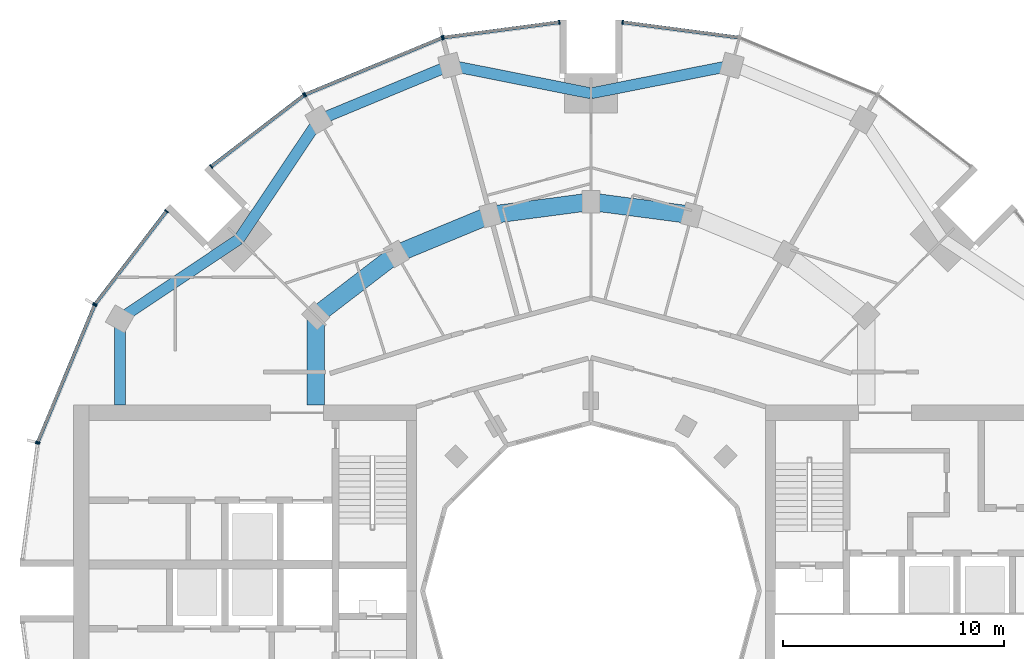
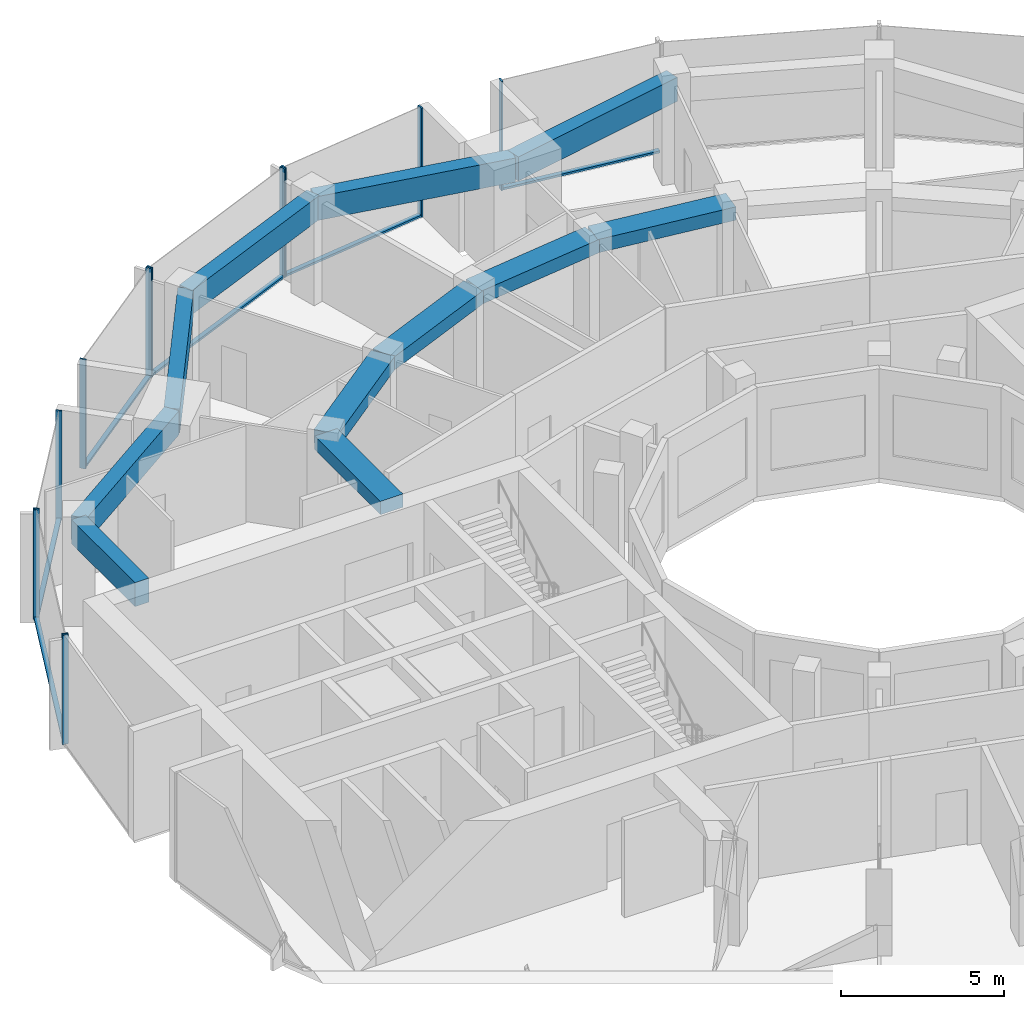
# One storey, part 5 of 15: 18 members, 11 beams, 7 elements without a shape of their own.
"""IFC4 building model written with IfcOpenShell, lengths in metres."""

from ifc_helpers import new_model, si_unit, direction, frame, origin, origin_2d, place, context, subcontext, project, spatial, rectangle, extrude, material, layer, layer_set, material_profile, profile_set, type_object, element, aggregate, save


model = new_model("IFC4")

# Units and contexts
model_context = context("Model", 3, precision=1e-05, world=origin(), true_north=direction((0.0, 1.0)))
body_context = subcontext(model_context, "Body", "Model", "MODEL_VIEW")
ifc_project = project(units=[si_unit("LENGTHUNIT", "METRE"), si_unit("AREAUNIT", "SQUARE_METRE"), si_unit("VOLUMEUNIT", "CUBIC_METRE"), si_unit("PLANEANGLEUNIT", "RADIAN"), si_unit("MASSUNIT", "GRAM", prefix="KILO")], contexts=[model_context])

# Site, building, storey
site_placement = place(None, origin())
site = spatial("IfcSite", under=ifc_project, at=site_placement, CompositionType="ELEMENT")
building_placement = place(site_placement, origin())
building = spatial("IfcBuilding", under=site, at=building_placement, Name="Torre Brocal", CompositionType="ELEMENT")
storey_placement = place(building_placement, frame((0.0, 0.0, 194.60009765625)))
storey = spatial("IfcBuildingStorey", under=building, at=storey_placement, Name="L45", CompositionType="ELEMENT", Elevation=194.60009765625)

# Curtain wall, member
ifc_material_1 = material(Name="Aluminium and glass", Category="aluminium")
ifc_layer_1 = layer(ifc_material_1, 0.199951171875)
ifc_layer_set_1 = layer_set([ifc_layer_1], Name="Aluminium and glass")
curtain_wall_type_1 = type_object("IfcCurtainWallType", Name="CW-1 CURTAIN WALL 4100 HIGH", PredefinedType="NOTDEFINED", material=ifc_layer_set_1)
curtain_wall_1_placement = place(storey_placement, origin())
curtain_wall_1 = element("IfcCurtainWall", 1, at=curtain_wall_1_placement, inside=storey, type_object=curtain_wall_type_1, Name="CW-1 RUN 6", PredefinedType="NOTDEFINED")
ifc_material_2 = material(Name="Aluminium, dark anodised", Category="aluminium")
ifc_material_profile_1 = material_profile(ifc_material_2, rectangle(XDim=0.199951171875, YDim=0.06005859375, at=origin_2d()), Name="CW-1 MULLION 60X200")
ifc_profile_set_1 = profile_set([ifc_material_profile_1], Name="Aluminium, dark anodised")
member_type_1 = type_object("IfcMemberType", Name="CW-1 MULLION 60X200", PredefinedType="MULLION", material=ifc_profile_set_1)
member_1_placement = place(storey_placement, frame((81.4296875, 100.7109375, 0.0), z_axis=(0.0, 0.0, 1.0), x_axis=(-0.13052619222, -0.991444861374, 0.0)))
member_1 = element("IfcMember", 2, at=member_1_placement, type_object=member_type_1, Name="CW1-4 mullion 2", PredefinedType="MULLION", context=body_context, shape_type="SweptSolid", body=[
    extrude(rectangle(XDim=0.199951171875, YDim=0.06005859375, at=origin_2d()), origin(), (0.0, 0.0, 1.0), 4.099853515625),
])

# Curtain wall, members
curtain_wall_2_placement = place(storey_placement, origin())
curtain_wall_2 = element("IfcCurtainWall", 3, at=curtain_wall_2_placement, inside=storey, type_object=curtain_wall_type_1, Name="CW-1 RUN 7", PredefinedType="NOTDEFINED")
member_2_placement = place(storey_placement, frame((78.5703125, 100.7109375, 0.0), z_axis=(0.0, 0.0, 1.0), x_axis=(0.13052619222, -0.991444861374, 0.0)))
member_2 = element("IfcMember", 4, at=member_2_placement, type_object=member_type_1, Name="CW1-4 mullion 1", PredefinedType="MULLION", context=body_context, shape_type="SweptSolid", body=[
    extrude(rectangle(XDim=0.199951171875, YDim=0.06005859375, at=origin_2d()), origin(), (0.0, 0.0, 1.0), 4.099853515625),
])
member_3_placement = place(storey_placement, frame((73.32666015625, 100.0205078125, 0.0), z_axis=(0.0, 0.0, 1.0), x_axis=(0.13052619222, -0.991444861374, 0.0)))
member_3 = element("IfcMember", 5, at=member_3_placement, type_object=member_type_1, Name="CW1-4 mullion 2", PredefinedType="MULLION", context=body_context, shape_type="SweptSolid", body=[
    extrude(rectangle(XDim=0.199951171875, YDim=0.06005859375, at=origin_2d()), origin(), (0.0, 0.0, 1.0), 4.099853515625),
])

curtain_wall_3_placement = place(storey_placement, origin())
curtain_wall_3 = element("IfcCurtainWall", 6, at=curtain_wall_3_placement, inside=storey, type_object=curtain_wall_type_1, Name="CW-1 RUN 8", PredefinedType="NOTDEFINED")
member_4_placement = place(storey_placement, frame((73.26904296875, 100.005126953125, 0.0), z_axis=(0.0, 0.0, 1.0), x_axis=(0.382683432333, -0.923879532525, 0.0)))
member_4 = element("IfcMember", 7, at=member_4_placement, type_object=member_type_1, Name="CW1-4 mullion 1", PredefinedType="MULLION", context=body_context, shape_type="SweptSolid", body=[
    extrude(rectangle(XDim=0.199951171875, YDim=0.06005859375, at=origin_2d()), origin(), (0.0, 0.0, 1.0), 4.099853515625),
])
member_5_placement = place(storey_placement, frame((67.078125, 97.440673828125, 0.0), z_axis=(0.0, 0.0, 1.0), x_axis=(0.382683432333, -0.923879532525, 0.0)))
member_5 = element("IfcMember", 8, at=member_5_placement, type_object=member_type_1, Name="CW1-4 mullion 2", PredefinedType="MULLION", context=body_context, shape_type="SweptSolid", body=[
    extrude(rectangle(XDim=0.199951171875, YDim=0.06005859375, at=origin_2d()), origin(), (0.0, 0.0, 1.0), 4.099853515625),
])

curtain_wall_4_placement = place(storey_placement, origin())
curtain_wall_4 = element("IfcCurtainWall", 9, at=curtain_wall_4_placement, inside=storey, type_object=curtain_wall_type_1, Name="CW-1 RUN 9", PredefinedType="NOTDEFINED")
member_6_placement = place(storey_placement, frame((67.026611328125, 97.4111328125, 0.0), z_axis=(0.0, 0.0, 1.0), x_axis=(0.60876142905, -0.793353340259, 0.0)))
member_6 = element("IfcMember", 10, at=member_6_placement, type_object=member_type_1, Name="CW1-4 mullion 1", PredefinedType="MULLION", context=body_context, shape_type="SweptSolid", body=[
    extrude(rectangle(XDim=0.199951171875, YDim=0.06005859375, at=origin_2d()), origin(), (0.0, 0.0, 1.0), 4.099853515625),
])
member_7_placement = place(storey_placement, frame((62.83056640625, 94.19140625, 0.0), z_axis=(0.0, 0.0, 1.0), x_axis=(0.60876142905, -0.793353340259, 0.0)))
member_7 = element("IfcMember", 11, at=member_7_placement, type_object=member_type_1, Name="CW1-4 mullion 2", PredefinedType="MULLION", context=body_context, shape_type="SweptSolid", body=[
    extrude(rectangle(XDim=0.199951171875, YDim=0.06005859375, at=origin_2d()), origin(), (0.0, 0.0, 1.0), 4.099853515625),
])

curtain_wall_5_placement = place(storey_placement, origin())
curtain_wall_5 = element("IfcCurtainWall", 12, at=curtain_wall_5_placement, inside=storey, type_object=curtain_wall_type_1, Name="CW-1 RUN 10", PredefinedType="NOTDEFINED")
member_8_placement = place(storey_placement, frame((60.80859375, 92.16943359375, 0.0), z_axis=(0.0, 0.0, 1.0), x_axis=(0.793353340259, -0.60876142905, 0.0)))
member_8 = element("IfcMember", 13, at=member_8_placement, type_object=member_type_1, Name="CW1-4 mullion 1", PredefinedType="MULLION", context=body_context, shape_type="SweptSolid", body=[
    extrude(rectangle(XDim=0.199951171875, YDim=0.06005859375, at=origin_2d()), origin(), (0.0, 0.0, 1.0), 4.099853515625),
])
member_9_placement = place(storey_placement, frame((57.5888671875, 87.973388671875, 0.0), z_axis=(0.0, 0.0, 1.0), x_axis=(0.793353340259, -0.60876142905, 0.0)))
member_9 = element("IfcMember", 14, at=member_9_placement, type_object=member_type_1, Name="CW1-4 mullion 2", PredefinedType="MULLION", context=body_context, shape_type="SweptSolid", body=[
    extrude(rectangle(XDim=0.199951171875, YDim=0.06005859375, at=origin_2d()), origin(), (0.0, 0.0, 1.0), 4.099853515625),
])

curtain_wall_6_placement = place(storey_placement, origin())
curtain_wall_6 = element("IfcCurtainWall", 15, at=curtain_wall_6_placement, inside=storey, type_object=curtain_wall_type_1, Name="CW-1 RUN 11", PredefinedType="NOTDEFINED")
member_10_placement = place(storey_placement, frame((57.559326171875, 87.921875, 0.0), z_axis=(0.0, 0.0, 1.0), x_axis=(0.923879532525, -0.382683432333, 0.0)))
member_10 = element("IfcMember", 16, at=member_10_placement, type_object=member_type_1, Name="CW1-4 mullion 1", PredefinedType="MULLION", context=body_context, shape_type="SweptSolid", body=[
    extrude(rectangle(XDim=0.199951171875, YDim=0.06005859375, at=origin_2d()), origin(), (0.0, 0.0, 1.0), 4.099853515625),
])
member_11_placement = place(storey_placement, frame((54.994873046875, 81.73095703125, 0.0), z_axis=(0.0, 0.0, 1.0), x_axis=(0.923879532525, -0.382683432333, 0.0)))
member_11 = element("IfcMember", 17, at=member_11_placement, type_object=member_type_1, Name="CW1-4 mullion 2", PredefinedType="MULLION", context=body_context, shape_type="SweptSolid", body=[
    extrude(rectangle(XDim=0.199951171875, YDim=0.06005859375, at=origin_2d()), origin(), (0.0, 0.0, 1.0), 4.099853515625),
])

# Member
ifc_material_3 = material(Name="Aluminium, dark anodised", Category="aluminium")
ifc_material_profile_2 = material_profile(ifc_material_3, rectangle(XDim=0.159912109375, YDim=0.080078125, at=origin_2d()), Name="CW-1 TRANSOM 160X80")
ifc_profile_set_2 = profile_set([ifc_material_profile_2], Name="Aluminium, dark anodised")
member_type_2 = type_object("IfcMemberType", Name="CW-1 TRANSOM 160X80", PredefinedType="USERDEFINED", material=ifc_profile_set_2)
member_12_placement = place(storey_placement, frame((86.643798828125, 100.0244140625, 0.039794921875), z_axis=(-0.991442690863, 0.130542677827, 0.0), x_axis=(-0.130542677827, -0.991442690863, 0.0)))
member_12 = element("IfcMember", 18, at=member_12_placement, type_object=member_type_2, Name="CW1-4 transom 1.1", ObjectType="TRANSOM", PredefinedType="USERDEFINED", context=body_context, shape_type="SweptSolid", body=[
    extrude(rectangle(XDim=0.159912109375, YDim=0.080078125, at=origin_2d()), origin(), (0.0, 0.0, 1.0), 5.22900390625),
])

aggregate(curtain_wall_1, [member_1, member_12])

member_13_placement = place(storey_placement, frame((78.54052734375, 100.70703125, 0.039794921875), z_axis=(-0.991442690863, -0.130542677827, 0.0), x_axis=(0.130542677827, -0.991442690863, 0.0)))
member_13 = element("IfcMember", 19, at=member_13_placement, type_object=member_type_2, Name="CW1-4 transom 1.1", ObjectType="TRANSOM", PredefinedType="USERDEFINED", context=body_context, shape_type="SweptSolid", body=[
    extrude(rectangle(XDim=0.159912109375, YDim=0.080078125, at=origin_2d()), origin(), (0.0, 0.0, 1.0), 5.22900390625),
])

aggregate(curtain_wall_2, [member_2, member_3, member_13])

member_14_placement = place(storey_placement, frame((73.241455078125, 99.99365234375, 0.039794921875), z_axis=(-0.923887344364, -0.38266457234, 0.0), x_axis=(0.38266457234, -0.923887344364, 0.0)))
member_14 = element("IfcMember", 20, at=member_14_placement, type_object=member_type_2, Name="CW1-4 transom 1.1", ObjectType="TRANSOM", PredefinedType="USERDEFINED", context=body_context, shape_type="SweptSolid", body=[
    extrude(rectangle(XDim=0.159912109375, YDim=0.080078125, at=origin_2d()), origin(), (0.0, 0.0, 1.0), 6.640869140625),
])

aggregate(curtain_wall_3, [member_4, member_5, member_14])

member_15_placement = place(storey_placement, frame((67.0029296875, 97.392822265625, 0.039794921875), z_axis=(-0.79336281513, -0.60874908096, 0.0), x_axis=(0.60874908096, -0.79336281513, 0.0)))
member_15 = element("IfcMember", 21, at=member_15_placement, type_object=member_type_2, Name="CW1-4 transom 1.1", ObjectType="TRANSOM", PredefinedType="USERDEFINED", context=body_context, shape_type="SweptSolid", body=[
    extrude(rectangle(XDim=0.159912109375, YDim=0.080078125, at=origin_2d()), origin(), (0.0, 0.0, 1.0), 5.22900390625),
])

aggregate(curtain_wall_4, [member_6, member_7, member_15])

member_16_placement = place(storey_placement, frame((60.790283203125, 92.1455078125, 0.039794921875), z_axis=(-0.60874908096, -0.79336281513, 0.0), x_axis=(0.79336281513, -0.60874908096, 0.0)))
member_16 = element("IfcMember", 22, at=member_16_placement, type_object=member_type_2, Name="CW1-4 transom 1.1", ObjectType="TRANSOM", PredefinedType="USERDEFINED", context=body_context, shape_type="SweptSolid", body=[
    extrude(rectangle(XDim=0.159912109375, YDim=0.080078125, at=origin_2d()), origin(), (0.0, 0.0, 1.0), 5.22900390625),
])

aggregate(curtain_wall_5, [member_8, member_9, member_16])

member_17_placement = place(storey_placement, frame((57.547607421875, 87.89404296875, 0.039794921875), z_axis=(-0.38266457234, -0.923887344364, 0.0), x_axis=(0.923887344364, -0.38266457234, 0.0)))
member_17 = element("IfcMember", 23, at=member_17_placement, type_object=member_type_2, Name="CW1-4 transom 1.1", ObjectType="TRANSOM", PredefinedType="USERDEFINED", context=body_context, shape_type="SweptSolid", body=[
    extrude(rectangle(XDim=0.159912109375, YDim=0.080078125, at=origin_2d()), origin(), (0.0, 0.0, 1.0), 6.640869140625),
])

aggregate(curtain_wall_6, [member_10, member_11, member_17])

# Curtain wall, member
ifc_material_4 = material(Name="Aluminium and glass", Category="aluminium")
ifc_layer_2 = layer(ifc_material_4, 0.199951171875)
ifc_layer_set_2 = layer_set([ifc_layer_2], Name="Aluminium and glass")
curtain_wall_type_2 = type_object("IfcCurtainWallType", Name="CW-1B CURTAIN WALL 4100 HIGH", PredefinedType="NOTDEFINED", material=ifc_layer_set_2)
curtain_wall_7_placement = place(storey_placement, origin())
curtain_wall_7 = element("IfcCurtainWall", 24, at=curtain_wall_7_placement, inside=storey, type_object=curtain_wall_type_2, Name="CW-1B RUN 12", PredefinedType="NOTDEFINED")
ifc_material_5 = material(Name="Aluminium, dark anodised", Category="aluminium")
ifc_material_profile_3 = material_profile(ifc_material_5, rectangle(XDim=0.199951171875, YDim=0.06005859375, at=origin_2d()), Name="CW-1B MULLION 60X200")
ifc_profile_set_3 = profile_set([ifc_material_profile_3], Name="Aluminium, dark anodised")
member_type_3 = type_object("IfcMemberType", Name="CW-1B MULLION 60X200", PredefinedType="MULLION", material=ifc_profile_set_3)
member_18_placement = place(storey_placement, frame((54.9794921875, 81.67333984375, 0.0), z_axis=(0.0, 0.0, 1.0), x_axis=(0.991444861374, -0.13052619222, 0.0)))
member_18 = element("IfcMember", 25, at=member_18_placement, type_object=member_type_3, Name="CW1B-4 mullion 1", PredefinedType="MULLION", context=body_context, shape_type="SweptSolid", body=[
    extrude(rectangle(XDim=0.199951171875, YDim=0.06005859375, at=origin_2d()), origin(), (0.0, 0.0, 1.0), 4.099853515625),
])
aggregate(curtain_wall_7, [member_18])

# Beams
ifc_material_6 = material(Name="Concrete C50", Category="concrete")
ifc_material_profile_4 = material_profile(ifc_material_6, rectangle(XDim=0.800048828125, YDim=0.5, at=origin_2d()), Name="RC 800X500")
ifc_profile_set_4 = profile_set([ifc_material_profile_4], Name="Concrete C50")
beam_type_1 = type_object("IfcBeamType", Name="RC BEAM 800X500 C50 TOP 3780", PredefinedType="BEAM", material=ifc_profile_set_4)
for number, where, z_axis, x_axis, name in (
    (26, (84.55517578125, 92.000244140625, 3.52978515625), (-0.991440544449, 0.130558978332, 0.0), (-0.130558978332, -0.991440544449, 0.0), "Beam BT-32"),
    (27, (80.0, 92.60009765625, 3.52978515625), (-0.991440544449, -0.130558978332, 0.0), (0.130558978332, -0.991440544449, 0.0), "Beam BT-32"),
):
    element("IfcBeam", number, at=place(storey_placement, frame(where, z_axis=z_axis, x_axis=x_axis)), inside=storey, type_object=beam_type_1, Name=name, PredefinedType="BEAM", context=body_context, shape_type="SweptSolid", body=[
        extrude(rectangle(XDim=0.800048828125, YDim=0.5, at=origin_2d()), origin(), (0.0, 0.0, 1.0), 4.594482421875),
    ])
beam_1_placement = place(storey_placement, frame((75.44482421875, 92.000244140625, 3.52978515625), z_axis=(-0.923878240166, -0.382686552348, 0.0), x_axis=(0.382686552348, -0.923878240166, 0.0)))
element("IfcBeam", 28, at=beam_1_placement, inside=storey, type_object=beam_type_1, Name="Beam BT-32", PredefinedType="BEAM", context=body_context, shape_type="SweptSolid", body=[
    extrude(rectangle(XDim=0.800048828125, YDim=0.5, at=origin_2d()), origin(), (0.0, 0.0, 1.0), 4.5947265625),
])
beam_2_placement = place(storey_placement, frame((71.199951171875, 90.241943359375, 3.52978515625), z_axis=(-0.793358265959, -0.6087550097, 0.0), x_axis=(0.6087550097, -0.793358265959, 0.0)))
element("IfcBeam", 29, at=beam_2_placement, inside=storey, type_object=beam_type_1, Name="Beam BT-32", PredefinedType="BEAM", context=body_context, shape_type="SweptSolid", body=[
    extrude(rectangle(XDim=0.800048828125, YDim=0.5, at=origin_2d()), origin(), (0.0, 0.0, 1.0), 4.594482421875),
])
beam_3_placement = place(storey_placement, frame((67.554931640625, 87.445068359375, 3.52978515625), z_axis=(0.0, -1.0, 0.0), x_axis=(1.0, 0.0, 0.0)))
element("IfcBeam", 30, at=beam_3_placement, inside=storey, type_object=beam_type_1, Name="Beam BT-32", PredefinedType="BEAM", context=body_context, shape_type="SweptSolid", body=[
    extrude(rectangle(XDim=0.800048828125, YDim=0.5, at=origin_2d()), origin(), (0.0, 0.0, 1.0), 4.045166015625),
])
ifc_material_7 = material(Name="Concrete C50", Category="concrete")
ifc_material_profile_5 = material_profile(ifc_material_7, rectangle(XDim=0.5, YDim=0.89990234375, at=origin_2d()), Name="RC 500X900")
ifc_profile_set_5 = profile_set([ifc_material_profile_5], Name="Concrete C50")
beam_type_2 = type_object("IfcBeamType", Name="RC SPANDREL BEAM 500X900 C50 TOP 3780", PredefinedType="SPANDREL", material=ifc_profile_set_5)
for number, where, z_axis, x_axis, name in (
    (31, (86.366943359375, 98.76171875, 3.329833984375), (-0.980924907484, -0.194387051723, 0.0), (0.194387051723, -0.980924907484, 0.0), "Beam BT-33"),
    (32, (80.0, 97.5, 3.329833984375), (-0.980924907484, 0.194387051723, 0.0), (-0.194387051723, -0.980924907484, 0.0), "Beam BT-33"),
):
    element("IfcBeam", number, at=place(storey_placement, frame(where, z_axis=z_axis, x_axis=x_axis)), inside=storey, type_object=beam_type_2, Name=name, PredefinedType="SPANDREL", context=body_context, shape_type="SweptSolid", body=[
        extrude(rectangle(XDim=0.5, YDim=0.89990234375, at=origin_2d()), origin(), (0.0, 0.0, 1.0), 6.49072265625),
    ])
beam_4_placement = place(storey_placement, frame((73.633056640625, 98.76171875, 3.329833984375), z_axis=(-0.923882462513, -0.382676358639, 0.0), x_axis=(0.382676358639, -0.923882462513, 0.0)))
element("IfcBeam", 33, at=beam_4_placement, inside=storey, type_object=beam_type_2, Name="Beam BT-33", PredefinedType="SPANDREL", context=body_context, shape_type="SweptSolid", body=[
    extrude(rectangle(XDim=0.5, YDim=0.89990234375, at=origin_2d()), origin(), (0.0, 0.0, 1.0), 6.421875),
])
for number, where, z_axis, x_axis, name in (
    (34, (67.699951171875, 96.30419921875, 3.329833984375), (-0.556157602282, -0.831076844476, 0.0), (0.831076844476, -0.556157602282, 0.0), "Beam BT-33"),
    (35, (64.090087890625, 90.909912109375, 3.329833984375), (-0.831076844476, -0.556157602282, 0.0), (0.556157602282, -0.831076844476, 0.0), "Beam BT-33"),
):
    element("IfcBeam", number, at=place(storey_placement, frame(where, z_axis=z_axis, x_axis=x_axis)), inside=storey, type_object=beam_type_2, Name=name, PredefinedType="SPANDREL", context=body_context, shape_type="SweptSolid", body=[
        extrude(rectangle(XDim=0.5, YDim=0.89990234375, at=origin_2d()), origin(), (0.0, 0.0, 1.0), 6.49072265625),
    ])
beam_5_placement = place(storey_placement, frame((58.69580078125, 87.300048828125, 3.329833984375), z_axis=(0.0, -1.0, 0.0), x_axis=(1.0, 0.0, 0.0)))
element("IfcBeam", 36, at=beam_5_placement, inside=storey, type_object=beam_type_2, Name="Beam BT-33", PredefinedType="SPANDREL", context=body_context, shape_type="SweptSolid", body=[
    extrude(rectangle(XDim=0.5, YDim=0.89990234375, at=origin_2d()), origin(), (0.0, 0.0, 1.0), 3.900146484375),
])

save(model, "model.ifc")
